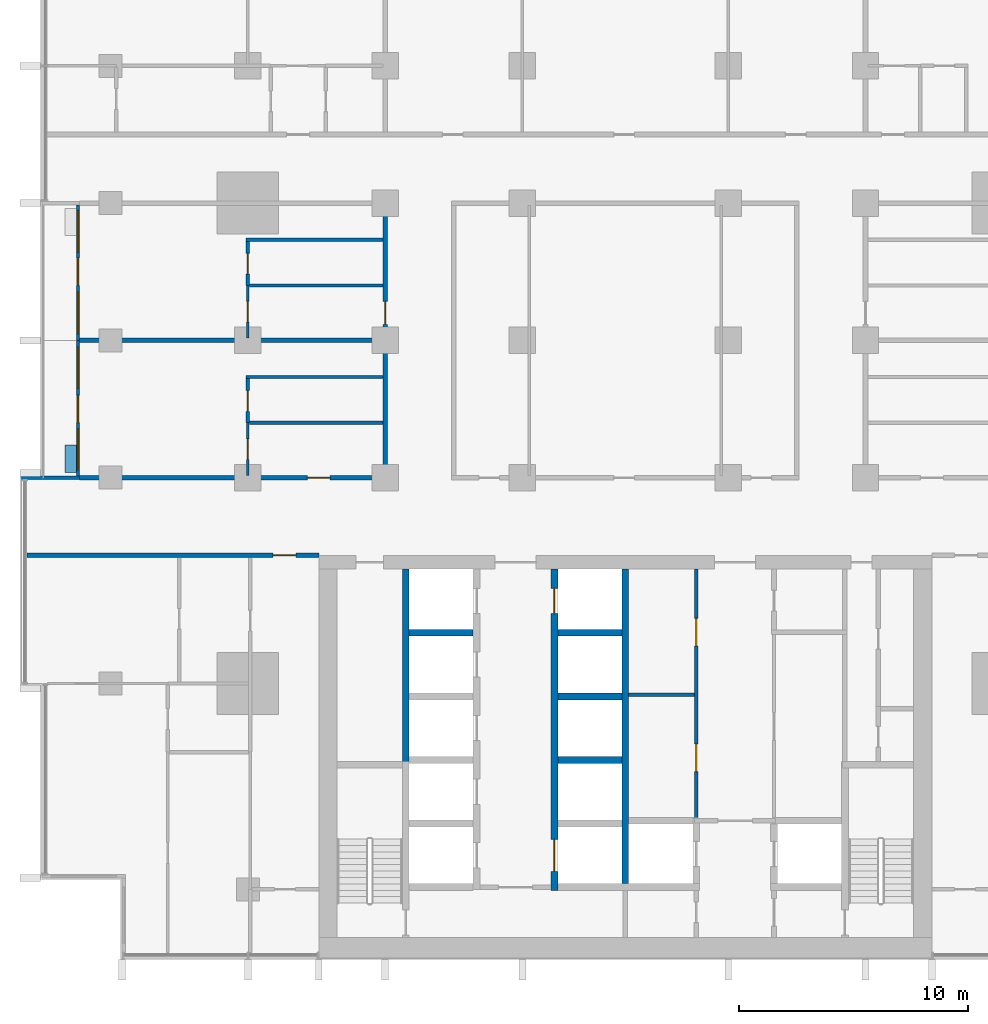
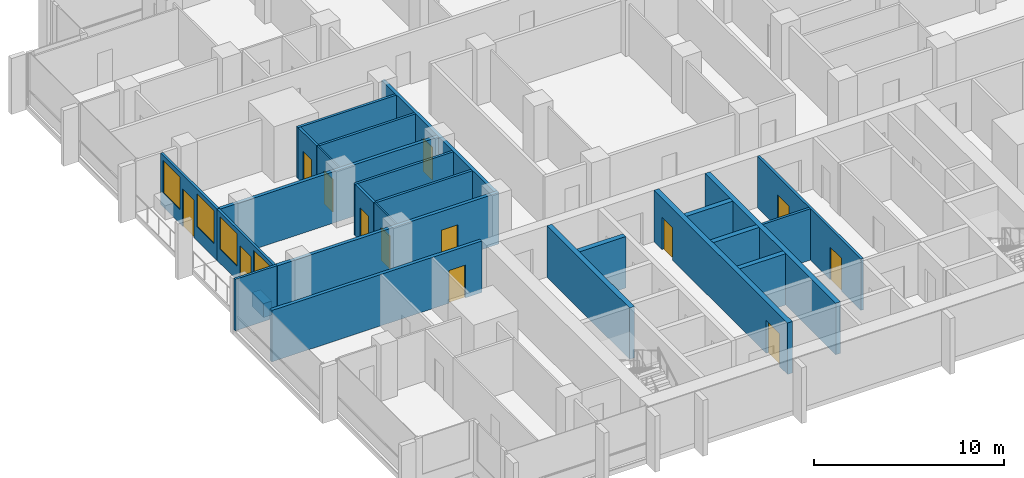
# One storey, part 8 of 17: 25 walls, 13 doors, 4 windows, 17 openings.
"""IFC4 building model written with IfcOpenShell, lengths in metres."""

from ifc_helpers import new_model, si_unit, direction, frame, frame_2d, origin, place, context, subcontext, project, spatial, rectangle, extrude, material, layer, layer_set, type_object, element, fill, save


model = new_model("IFC4")

# Units and contexts
model_context = context("Model", 3, precision=1e-05, world=origin(), true_north=direction((0.0, 1.0)))
body_context = subcontext(model_context, "Body", "Model", "MODEL_VIEW")
ifc_project = project(units=[si_unit("LENGTHUNIT", "METRE"), si_unit("AREAUNIT", "SQUARE_METRE"), si_unit("VOLUMEUNIT", "CUBIC_METRE"), si_unit("PLANEANGLEUNIT", "RADIAN"), si_unit("MASSUNIT", "GRAM", prefix="KILO")], contexts=[model_context])

# Site, building, storey
site_placement = place(None, origin())
site = spatial("IfcSite", under=ifc_project, at=site_placement, CompositionType="ELEMENT")
building_placement = place(site_placement, origin())
building = spatial("IfcBuilding", under=site, at=building_placement, Name="Finial Court Residences", CompositionType="ELEMENT")
storey_placement = place(building_placement, frame((0.0, 0.0, 117.10009765625)))
storey = spatial("IfcBuildingStorey", under=building, at=storey_placement, Name="L29", CompositionType="ELEMENT", Elevation=117.10009765625)

# Walls
ifc_material_1 = material(Name="Gypsum board")
ifc_layer_1 = layer(ifc_material_1, 0.02490234375)
ifc_material_2 = material(Name="Acoustic mineral wool in double frame")
ifc_layer_2 = layer(ifc_material_2, 0.14990234375)
ifc_layer_3 = layer(ifc_material_1, 0.02490234375)
ifc_layer_set_1 = layer_set([ifc_layer_1, ifc_layer_2, ifc_layer_3], Name="Acoustic party wall 200, 1 hour")
wall_type_1 = type_object("IfcWallType", Name="Acoustic party wall 200, 1 hour", PredefinedType="PARTITIONING", material=ifc_layer_set_1)
wall_1_placement = place(storey_placement, frame((-23.85009765625, 1.5, 0.0), z_axis=(0.0, 0.0, 1.0), x_axis=(1.0, 0.0, 0.0)))
element("IfcWall", 1, at=wall_1_placement, inside=storey, type_object=wall_type_1, Name="Partition L29-017", PredefinedType="PARTITIONING", context=body_context, shape_type="SweptSolid", body=[
    extrude(rectangle(XDim=13.25, YDim=0.199951171875, at=frame_2d((6.625, 0.0))), origin(), (0.0, 0.0, 1.0), 3.2998046875),
])
ifc_material_3 = material(Name="Fire-rated gypsum board partition")
ifc_layer_4 = layer(ifc_material_3, 0.14990234375)
ifc_layer_set_2 = layer_set([ifc_layer_4], Name="Core room partition 150 EI 60")
wall_type_2 = type_object("IfcWallType", Name="Core room partition 150 EI 60", PredefinedType="PARTITIONING", material=ifc_layer_set_2)
wall_2_placement = place(storey_placement, frame((0.14990234375, -14.0, 0.0), z_axis=(0.0, 0.0, 1.0), x_axis=(1.0, 0.0, 0.0)))
element("IfcWall", 2, at=wall_2_placement, inside=storey, type_object=wall_type_2, Name="Core partition L29-17", PredefinedType="PARTITIONING", context=body_context, shape_type="SweptSolid", body=[
    extrude(rectangle(XDim=2.875, YDim=0.14990234375, at=frame_2d((1.4375, 0.0))), origin(), (0.0, 0.0, 1.0), 3.2998046875),
])

# Wall, openings, doors
wall_3_placement = place(storey_placement, frame((3.10009765625, -19.39990234375, 0.0), z_axis=(0.0, 0.0, 1.0), x_axis=(0.0, 1.0, 0.0)))
wall_3 = element("IfcWall", 3, at=wall_3_placement, inside=storey, type_object=wall_type_2, Name="Core partition L29-29", PredefinedType="PARTITIONING", context=body_context, shape_type="SweptSolid", body=[
    extrude(rectangle(XDim=10.89990234375, YDim=0.14990234375, at=frame_2d((5.449951171875, 0.0))), origin(), (0.0, 0.0, 1.0), 3.2998046875),
])
opening_1_placement = place(wall_3_placement, frame((2.050048828125, 0.0, 0.0)))
opening_1 = element("IfcOpeningElement", 4, at=opening_1_placement, cuts=wall_3, Name="Opening L29-C12", PredefinedType="OPENING", context=body_context, shape_type="SweptSolid", body=[
    extrude(rectangle(XDim=1.199951171875, YDim=2.10009765625, at=frame_2d((0.60009765625, 1.050048828125))), frame((0.0, 0.0849609375, 0.0), z_axis=(0.0, -1.0, 0.0), x_axis=(1.0, 0.0, 0.0)), (0.0, 0.0, 1.0), 0.169921875),
])
opening_2_placement = place(wall_3_placement, frame((7.550048828125, 0.0, 0.0)))
opening_2 = element("IfcOpeningElement", 5, at=opening_2_placement, cuts=wall_3, Name="Opening L29-C13", PredefinedType="OPENING", context=body_context, shape_type="SweptSolid", body=[
    extrude(rectangle(XDim=1.199951171875, YDim=2.10009765625, at=frame_2d((0.60009765625, 1.050048828125))), frame((0.0, 0.0849609375, 0.0), z_axis=(0.0, -1.0, 0.0), x_axis=(1.0, 0.0, 0.0)), (0.0, 0.0, 1.0), 0.169921875),
])
ifc_material_4 = material(Name="Steel fire door", Category="steel")
door_type_1 = type_object("IfcDoorType", Name="Core room door 1200 x 2100 EI 60", OperationType="NOTDEFINED", PredefinedType="DOOR", material=ifc_material_4)
door_1_placement = place(opening_1_placement, origin())
door_1 = element("IfcDoor", 6, at=door_1_placement, inside=storey, type_object=door_type_1, Name="Core room door L29-C12", OperationType="SINGLE_SWING_LEFT", OverallHeight=2.10009765625, OverallWidth=1.199951171875, PredefinedType="DOOR", context=body_context, shape_type="SweptSolid", body=[
    extrude(rectangle(XDim=1.199951171875, YDim=2.10009765625, at=frame_2d((0.60009765625, 1.050048828125))), frame((0.0, 0.02490234375, 0.0), z_axis=(0.0, -1.0, 0.0), x_axis=(1.0, 0.0, 0.0)), (0.0, 0.0, 1.0), 0.050048828125),
])
fill(opening_1, door_1)
door_2_placement = place(opening_2_placement, origin())
door_2 = element("IfcDoor", 7, at=door_2_placement, inside=storey, type_object=door_type_1, Name="Core room door L29-C13", OperationType="SINGLE_SWING_LEFT", OverallHeight=2.10009765625, OverallWidth=1.199951171875, PredefinedType="DOOR", context=body_context, shape_type="SweptSolid", body=[
    extrude(rectangle(XDim=1.199951171875, YDim=2.10009765625, at=frame_2d((0.60009765625, 1.050048828125))), frame((0.0, 0.02490234375, 0.0), z_axis=(0.0, -1.0, 0.0), x_axis=(1.0, 0.0, 0.0)), (0.0, 0.0, 1.0), 0.050048828125),
])
fill(opening_2, door_2)

# Wall, opening, door
ifc_layer_5 = layer(ifc_material_1, 0.02490234375)
ifc_layer_6 = layer(ifc_material_2, 0.14990234375)
ifc_layer_7 = layer(ifc_material_1, 0.02490234375)
ifc_layer_set_3 = layer_set([ifc_layer_5, ifc_layer_6, ifc_layer_7], Name="Corridor wall 200, 1 hour")
wall_type_3 = type_object("IfcWallType", Name="Corridor wall 200, 1 hour", PredefinedType="PARTITIONING", material=ifc_layer_set_3)
wall_4_placement = place(storey_placement, frame((-26.14990234375, -7.89990234375, 0.0), z_axis=(0.0, 0.0, 1.0), x_axis=(1.0, 0.0, 0.0)))
wall_4 = element("IfcWall", 8, at=wall_4_placement, inside=storey, type_object=wall_type_3, Name="Partition L29-008", PredefinedType="PARTITIONING", context=body_context, shape_type="SweptSolid", body=[
    extrude(rectangle(XDim=12.75, YDim=0.199951171875, at=frame_2d((6.375, 0.0))), origin(), (0.0, 0.0, 1.0), 3.2998046875),
])
opening_3_placement = place(wall_4_placement, frame((10.75, 0.0, 0.0)))
opening_3 = element("IfcOpeningElement", 9, at=opening_3_placement, cuts=wall_4, Name="Opening L29-D005", PredefinedType="OPENING", context=body_context, shape_type="SweptSolid", body=[
    extrude(rectangle(XDim=1.0, YDim=2.10009765625, at=frame_2d((0.5, 1.050048828125))), frame((0.0, 0.10986328125, 0.0), z_axis=(0.0, -1.0, 0.0), x_axis=(1.0, 0.0, 0.0)), (0.0, 0.0, 1.0), 0.219970703125),
])
ifc_material_5 = material(Name="Timber door leaf in hollow metal frame", Category="wood")
door_type_2 = type_object("IfcDoorType", Name="Fire door set 1000 x 2100, 30 minutes", OperationType="SINGLE_SWING_LEFT", PredefinedType="DOOR", material=ifc_material_5)
door_3_placement = place(opening_3_placement, origin())
door_3 = element("IfcDoor", 10, at=door_3_placement, inside=storey, type_object=door_type_2, Name="Door L29-D005", OperationType="SINGLE_SWING_RIGHT", OverallHeight=2.10009765625, OverallWidth=1.0, PredefinedType="DOOR", context=body_context, shape_type="SweptSolid", body=[
    extrude(rectangle(XDim=1.0, YDim=2.10009765625, at=frame_2d((0.5, 1.050048828125))), frame((0.0, 0.02490234375, 0.0), z_axis=(0.0, -1.0, 0.0), x_axis=(1.0, 0.0, 0.0)), (0.0, 0.0, 1.0), 0.050048828125),
])
fill(opening_3, door_3)

wall_5_placement = place(storey_placement, frame((-23.85009765625, -4.5, 0.0), z_axis=(0.0, 0.0, 1.0), x_axis=(1.0, 0.0, 0.0)))
wall_5 = element("IfcWall", 11, at=wall_5_placement, inside=storey, type_object=wall_type_3, Name="Partition L29-010", PredefinedType="PARTITIONING", context=body_context, shape_type="SweptSolid", body=[
    extrude(rectangle(XDim=13.4501953125, YDim=0.199951171875, at=frame_2d((6.72509765625, 0.0))), origin(), (0.0, 0.0, 1.0), 3.2998046875),
])
opening_4_placement = place(wall_5_placement, frame((9.949951171875, 0.0, 0.0)))
opening_4 = element("IfcOpeningElement", 12, at=opening_4_placement, cuts=wall_5, Name="Opening L29-D007", PredefinedType="OPENING", context=body_context, shape_type="SweptSolid", body=[
    extrude(rectangle(XDim=1.0, YDim=2.10009765625, at=frame_2d((0.5, 1.050048828125))), frame((0.0, 0.10986328125, 0.0), z_axis=(0.0, -1.0, 0.0), x_axis=(1.0, 0.0, 0.0)), (0.0, 0.0, 1.0), 0.219970703125),
])
door_4_placement = place(opening_4_placement, origin())
door_4 = element("IfcDoor", 13, at=door_4_placement, inside=storey, type_object=door_type_2, Name="Door L29-D007", OperationType="SINGLE_SWING_LEFT", OverallHeight=2.10009765625, OverallWidth=1.0, PredefinedType="DOOR", context=body_context, shape_type="SweptSolid", body=[
    extrude(rectangle(XDim=1.0, YDim=2.10009765625, at=frame_2d((0.5, 1.050048828125))), frame((0.0, 0.02490234375, 0.0), z_axis=(0.0, -1.0, 0.0), x_axis=(1.0, 0.0, 0.0)), (0.0, 0.0, 1.0), 0.050048828125),
])
fill(opening_4, door_4)

wall_6_placement = place(storey_placement, frame((-10.5, -4.39990234375, 0.0), z_axis=(0.0, 0.0, 1.0), x_axis=(0.0, 1.0, 0.0)))
wall_6 = element("IfcWall", 14, at=wall_6_placement, inside=storey, type_object=wall_type_3, Name="Partition L29-051", PredefinedType="PARTITIONING", context=body_context, shape_type="SweptSolid", body=[
    extrude(rectangle(XDim=11.7998046875, YDim=0.199951171875, at=frame_2d((5.89990234375, 0.0))), origin(), (0.0, 0.0, 1.0), 3.2998046875),
])
opening_5_placement = place(wall_6_placement, frame((6.60009765625, 0.0, 0.0)))
opening_5 = element("IfcOpeningElement", 15, at=opening_5_placement, cuts=wall_6, Name="Opening L29-D036", PredefinedType="OPENING", context=body_context, shape_type="SweptSolid", body=[
    extrude(rectangle(XDim=1.0, YDim=2.10009765625, at=frame_2d((0.5, 1.050048828125))), frame((0.0, 0.10986328125, 0.0), z_axis=(0.0, -1.0, 0.0), x_axis=(1.0, 0.0, 0.0)), (0.0, 0.0, 1.0), 0.219970703125),
])
door_5_placement = place(opening_5_placement, origin())
door_5 = element("IfcDoor", 16, at=door_5_placement, inside=storey, type_object=door_type_2, Name="Door L29-D036", OperationType="SINGLE_SWING_LEFT", OverallHeight=2.10009765625, OverallWidth=1.0, PredefinedType="DOOR", context=body_context, shape_type="SweptSolid", body=[
    extrude(rectangle(XDim=1.0, YDim=2.10009765625, at=frame_2d((0.5, 1.050048828125))), frame((0.0, 0.02490234375, 0.0), z_axis=(0.0, -1.0, 0.0), x_axis=(1.0, 0.0, 0.0)), (0.0, 0.0, 1.0), 0.050048828125),
])
fill(opening_5, door_5)

ifc_layer_8 = layer(ifc_material_1, 0.012451171875)
ifc_material_6 = material(Name="Mineral wool in light-gauge frame")
ifc_layer_9 = layer(ifc_material_6, 0.074951171875)
ifc_layer_10 = layer(ifc_material_1, 0.012451171875)
ifc_layer_set_4 = layer_set([ifc_layer_8, ifc_layer_9, ifc_layer_10], Name="Gypsum board partition 100")
wall_type_4 = type_object("IfcWallType", Name="Gypsum board partition 100", PredefinedType="PARTITIONING", material=ifc_layer_set_4)
wall_7_placement = place(storey_placement, frame((-16.5, -4.39990234375, 0.0), z_axis=(0.0, 0.0, 1.0), x_axis=(0.0, 1.0, 0.0)))
wall_7 = element("IfcWall", 17, at=wall_7_placement, inside=storey, type_object=wall_type_4, Name="Partition L29-041", PredefinedType="PARTITIONING", context=body_context, shape_type="SweptSolid", body=[
    extrude(rectangle(XDim=2.2998046875, YDim=0.10009765625, at=frame_2d((1.14990234375, 0.0))), origin(), (0.0, 0.0, 1.0), 3.2998046875),
])
opening_6_placement = place(wall_7_placement, frame((0.699951171875, 0.0, 0.0)))
opening_6 = element("IfcOpeningElement", 18, at=opening_6_placement, cuts=wall_7, Name="Opening L29-D028", PredefinedType="OPENING", context=body_context, shape_type="SweptSolid", body=[
    extrude(rectangle(XDim=0.89990234375, YDim=2.10009765625, at=frame_2d((0.449951171875, 1.050048828125))), frame((0.0, 0.06005859375, 0.0), z_axis=(0.0, -1.0, 0.0), x_axis=(1.0, 0.0, 0.0)), (0.0, 0.0, 1.0), 0.1201171875),
])
ifc_material_7 = material(Name="Timber door leaf in timber frame", Category="wood")
door_type_3 = type_object("IfcDoorType", Name="Door set 900 x 2100", OperationType="SINGLE_SWING_LEFT", PredefinedType="DOOR", material=ifc_material_7)
door_6_placement = place(opening_6_placement, origin())
door_6 = element("IfcDoor", 19, at=door_6_placement, inside=storey, type_object=door_type_3, Name="Door L29-D028", OperationType="SINGLE_SWING_LEFT", OverallHeight=2.10009765625, OverallWidth=0.89990234375, PredefinedType="DOOR", context=body_context, shape_type="SweptSolid", body=[
    extrude(rectangle(XDim=0.89990234375, YDim=2.10009765625, at=frame_2d((0.449951171875, 1.050048828125))), frame((0.0, 0.02490234375, 0.0), z_axis=(0.0, -1.0, 0.0), x_axis=(1.0, 0.0, 0.0)), (0.0, 0.0, 1.0), 0.050048828125),
])
fill(opening_6, door_6)

wall_8_placement = place(storey_placement, frame((-16.5, 1.60009765625, 0.0), z_axis=(0.0, 0.0, 1.0), x_axis=(0.0, 1.0, 0.0)))
wall_8 = element("IfcWall", 20, at=wall_8_placement, inside=storey, type_object=wall_type_4, Name="Partition L29-042", PredefinedType="PARTITIONING", context=body_context, shape_type="SweptSolid", body=[
    extrude(rectangle(XDim=2.2998046875, YDim=0.10009765625, at=frame_2d((1.14990234375, 0.0))), origin(), (0.0, 0.0, 1.0), 3.2998046875),
])
opening_7_placement = place(wall_8_placement, frame((0.699951171875, 0.0, 0.0)))
opening_7 = element("IfcOpeningElement", 21, at=opening_7_placement, cuts=wall_8, Name="Opening L29-D029", PredefinedType="OPENING", context=body_context, shape_type="SweptSolid", body=[
    extrude(rectangle(XDim=0.89990234375, YDim=2.10009765625, at=frame_2d((0.449951171875, 1.050048828125))), frame((0.0, 0.06005859375, 0.0), z_axis=(0.0, -1.0, 0.0), x_axis=(1.0, 0.0, 0.0)), (0.0, 0.0, 1.0), 0.1201171875),
])
door_7_placement = place(opening_7_placement, origin())
door_7 = element("IfcDoor", 22, at=door_7_placement, inside=storey, type_object=door_type_3, Name="Door L29-D029", OperationType="SINGLE_SWING_RIGHT", OverallHeight=2.10009765625, OverallWidth=0.89990234375, PredefinedType="DOOR", context=body_context, shape_type="SweptSolid", body=[
    extrude(rectangle(XDim=0.89990234375, YDim=2.10009765625, at=frame_2d((0.449951171875, 1.050048828125))), frame((0.0, 0.02490234375, 0.0), z_axis=(0.0, -1.0, 0.0), x_axis=(1.0, 0.0, 0.0)), (0.0, 0.0, 1.0), 0.050048828125),
])
fill(opening_7, door_7)

# Walls
ifc_material_8 = material(Name="Moisture-resistant gypsum board")
ifc_layer_11 = layer(ifc_material_8, 0.012451171875)
ifc_layer_12 = layer(ifc_material_6, 0.125)
ifc_layer_13 = layer(ifc_material_8, 0.012451171875)
ifc_layer_set_5 = layer_set([ifc_layer_11, ifc_layer_12, ifc_layer_13], Name="Gypsum board wet-area partition 150")
wall_type_5 = type_object("IfcWallType", Name="Gypsum board wet-area partition 150", PredefinedType="PARTITIONING", material=ifc_layer_set_5)
wall_9_placement = place(storey_placement, frame((-16.425048828125, -2.10009765625, 0.0), z_axis=(0.0, 0.0, 1.0), x_axis=(1.0, 0.0, 0.0)))
element("IfcWall", 23, at=wall_9_placement, inside=storey, type_object=wall_type_5, Name="Partition L29-013", PredefinedType="PARTITIONING", context=body_context, shape_type="SweptSolid", body=[
    extrude(rectangle(XDim=5.824951171875, YDim=0.14990234375, at=frame_2d((2.91259765625, 0.0))), origin(), (0.0, 0.0, 1.0), 3.2998046875),
])
wall_10_placement = place(storey_placement, frame((-16.574951171875, -0.10009765625, 0.0), z_axis=(0.0, 0.0, 1.0), x_axis=(1.0, 0.0, 0.0)))
element("IfcWall", 24, at=wall_10_placement, inside=storey, type_object=wall_type_5, Name="Partition L29-015", PredefinedType="PARTITIONING", context=body_context, shape_type="SweptSolid", body=[
    extrude(rectangle(XDim=5.974853515625, YDim=0.14990234375, at=frame_2d((2.9873046875, 0.0))), origin(), (0.0, 0.0, 1.0), 3.2998046875),
])
wall_11_placement = place(storey_placement, frame((-16.425048828125, 3.89990234375, 0.0), z_axis=(0.0, 0.0, 1.0), x_axis=(1.0, 0.0, 0.0)))
element("IfcWall", 25, at=wall_11_placement, inside=storey, type_object=wall_type_5, Name="Partition L29-019", PredefinedType="PARTITIONING", context=body_context, shape_type="SweptSolid", body=[
    extrude(rectangle(XDim=5.824951171875, YDim=0.14990234375, at=frame_2d((2.91259765625, 0.0))), origin(), (0.0, 0.0, 1.0), 3.2998046875),
])
wall_12_placement = place(storey_placement, frame((-16.574951171875, 5.89990234375, 0.0), z_axis=(0.0, 0.0, 1.0), x_axis=(1.0, 0.0, 0.0)))
element("IfcWall", 26, at=wall_12_placement, inside=storey, type_object=wall_type_5, Name="Partition L29-021", PredefinedType="PARTITIONING", context=body_context, shape_type="SweptSolid", body=[
    extrude(rectangle(XDim=5.974853515625, YDim=0.14990234375, at=frame_2d((2.9873046875, 0.0))), origin(), (0.0, 0.0, 1.0), 3.2998046875),
])

# Wall, opening, door
wall_13_placement = place(storey_placement, frame((-16.5, -2.10009765625, 0.0), z_axis=(0.0, 0.0, 1.0), x_axis=(0.0, 1.0, 0.0)))
wall_13 = element("IfcWall", 27, at=wall_13_placement, inside=storey, type_object=wall_type_5, Name="Partition L29-044", PredefinedType="PARTITIONING", context=body_context, shape_type="SweptSolid", body=[
    extrude(rectangle(XDim=1.925048828125, YDim=0.14990234375, at=frame_2d((0.96240234375, 0.0))), origin(), (0.0, 0.0, 1.0), 3.2998046875),
])
opening_8_placement = place(wall_13_placement, frame((0.5, 0.0, 0.0)))
opening_8 = element("IfcOpeningElement", 28, at=opening_8_placement, cuts=wall_13, Name="Opening L29-D031", PredefinedType="OPENING", context=body_context, shape_type="SweptSolid", body=[
    extrude(rectangle(XDim=0.89990234375, YDim=2.10009765625, at=frame_2d((0.449951171875, 1.050048828125))), frame((0.0, 0.0849609375, 0.0), z_axis=(0.0, -1.0, 0.0), x_axis=(1.0, 0.0, 0.0)), (0.0, 0.0, 1.0), 0.169921875),
])
door_8_placement = place(opening_8_placement, origin())
door_8 = element("IfcDoor", 29, at=door_8_placement, inside=storey, type_object=door_type_3, Name="Door L29-D031", OperationType="SINGLE_SWING_RIGHT", OverallHeight=2.10009765625, OverallWidth=0.89990234375, PredefinedType="DOOR", context=body_context, shape_type="SweptSolid", body=[
    extrude(rectangle(XDim=0.89990234375, YDim=2.10009765625, at=frame_2d((0.449951171875, 1.050048828125))), frame((0.0, 0.02490234375, 0.0), z_axis=(0.0, -1.0, 0.0), x_axis=(1.0, 0.0, 0.0)), (0.0, 0.0, 1.0), 0.050048828125),
])
fill(opening_8, door_8)

wall_14_placement = place(storey_placement, frame((-16.5, 3.89990234375, 0.0), z_axis=(0.0, 0.0, 1.0), x_axis=(0.0, 1.0, 0.0)))
wall_14 = element("IfcWall", 30, at=wall_14_placement, inside=storey, type_object=wall_type_5, Name="Partition L29-045", PredefinedType="PARTITIONING", context=body_context, shape_type="SweptSolid", body=[
    extrude(rectangle(XDim=1.925048828125, YDim=0.14990234375, at=frame_2d((0.96240234375, 0.0))), origin(), (0.0, 0.0, 1.0), 3.2998046875),
])
opening_9_placement = place(wall_14_placement, frame((0.5, 0.0, 0.0)))
opening_9 = element("IfcOpeningElement", 31, at=opening_9_placement, cuts=wall_14, Name="Opening L29-D032", PredefinedType="OPENING", context=body_context, shape_type="SweptSolid", body=[
    extrude(rectangle(XDim=0.89990234375, YDim=2.10009765625, at=frame_2d((0.449951171875, 1.050048828125))), frame((0.0, 0.0849609375, 0.0), z_axis=(0.0, -1.0, 0.0), x_axis=(1.0, 0.0, 0.0)), (0.0, 0.0, 1.0), 0.169921875),
])
door_9_placement = place(opening_9_placement, origin())
door_9 = element("IfcDoor", 32, at=door_9_placement, inside=storey, type_object=door_type_3, Name="Door L29-D032", OperationType="SINGLE_SWING_RIGHT", OverallHeight=2.10009765625, OverallWidth=0.89990234375, PredefinedType="DOOR", context=body_context, shape_type="SweptSolid", body=[
    extrude(rectangle(XDim=0.89990234375, YDim=2.10009765625, at=frame_2d((0.449951171875, 1.050048828125))), frame((0.0, 0.02490234375, 0.0), z_axis=(0.0, -1.0, 0.0), x_axis=(1.0, 0.0, 0.0)), (0.0, 0.0, 1.0), 0.050048828125),
])
fill(opening_9, door_9)

# Walls
ifc_material_9 = material(Name="Concrete C70/85", Category="concrete")
ifc_layer_14 = layer(ifc_material_9, 0.300048828125)
ifc_layer_set_6 = layer_set([ifc_layer_14], Name="Lift shaft and stair wall 300 Concrete C70/85")
wall_type_6 = type_object("IfcWallType", Name="Lift shaft and stair wall 300 Concrete C70/85", PredefinedType="SHEAR", material=ifc_layer_set_6)
for number, where, z_axis, x_axis, name in (
    (33, (-2.949951171875, -16.840087890625, 0.0), (0.0, 0.0, 1.0), (1.0, 0.0, 0.0), "Core wall L29-13"),
    (34, (-2.949951171875, -14.06005859375, 0.0), (0.0, 0.0, 1.0), (1.0, 0.0, 0.0), "Core wall L29-16"),
    (35, (-9.449951171875, -11.280029296875, 0.0), (0.0, 0.0, 1.0), (1.0, 0.0, 0.0), "Core wall L29-18"),
    (36, (-2.949951171875, -11.280029296875, 0.0), (0.0, 0.0, 1.0), (1.0, 0.0, 0.0), "Core wall L29-19"),
):
    element("IfcWall", number, at=place(storey_placement, frame(where, z_axis=z_axis, x_axis=x_axis)), inside=storey, type_object=wall_type_6, Name=name, PredefinedType="SHEAR", context=body_context, shape_type="SweptSolid", body=[
        extrude(rectangle(XDim=2.800048828125, YDim=0.300048828125, at=frame_2d((1.39990234375, 0.0))), origin(), (0.0, 0.0, 1.0), 3.2998046875),
    ])
wall_15_placement = place(storey_placement, frame((-9.60009765625, -17.199951171875, 0.0), z_axis=(0.0, 0.0, 1.0), x_axis=(0.0, 1.0, 0.0)))
element("IfcWall", 37, at=wall_15_placement, inside=storey, type_object=wall_type_6, Name="Core wall L29-22", PredefinedType="SHEAR", context=body_context, shape_type="SweptSolid", body=[
    extrude(rectangle(XDim=8.699951171875, YDim=0.300048828125, at=frame_2d((4.35009765625, 0.0))), origin(), (0.0, 0.0, 1.0), 3.2998046875),
])

# Wall, openings, doors
wall_16_placement = place(storey_placement, frame((-3.10009765625, -22.550048828125, 0.0), z_axis=(0.0, 0.0, 1.0), x_axis=(0.0, 1.0, 0.0)))
wall_16 = element("IfcWall", 38, at=wall_16_placement, inside=storey, type_object=wall_type_6, Name="Core wall L29-24", PredefinedType="SHEAR", context=body_context, shape_type="SweptSolid", body=[
    extrude(rectangle(XDim=14.050048828125, YDim=0.300048828125, at=frame_2d((7.02490234375, 0.0))), origin(), (0.0, 0.0, 1.0), 3.2998046875),
])
opening_10_placement = place(wall_16_placement, frame((12.110107421875, 0.0, 0.0)))
opening_10 = element("IfcOpeningElement", 39, at=opening_10_placement, cuts=wall_16, Name="Opening L29-LD08", PredefinedType="OPENING", context=body_context, shape_type="SweptSolid", body=[
    extrude(rectangle(XDim=1.10009765625, YDim=2.10009765625, at=frame_2d((0.550048828125, 1.050048828125))), frame((0.0, 0.159912109375, 0.0), z_axis=(0.0, -1.0, 0.0), x_axis=(1.0, 0.0, 0.0)), (0.0, 0.0, 1.0), 0.320068359375),
])
opening_11_placement = place(wall_16_placement, frame((0.840087890625, 0.0, 0.0)))
opening_11 = element("IfcOpeningElement", 40, at=opening_11_placement, cuts=wall_16, Name="Opening L29-LD09", PredefinedType="OPENING", context=body_context, shape_type="SweptSolid", body=[
    extrude(rectangle(XDim=1.39990234375, YDim=2.10009765625, at=frame_2d((0.699951171875, 1.050048828125))), frame((0.0, 0.159912109375, 0.0), z_axis=(0.0, -1.0, 0.0), x_axis=(1.0, 0.0, 0.0)), (0.0, 0.0, 1.0), 0.320068359375),
])
ifc_material_10 = material(Name="Stainless steel lift door", Category="steel")
door_type_4 = type_object("IfcDoorType", Name="Lift landing door 1100 x 2100 EI 90", OperationType="DOUBLE_DOOR_SLIDING", PredefinedType="DOOR", material=ifc_material_10)
door_10_placement = place(opening_10_placement, origin())
door_10 = element("IfcDoor", 41, at=door_10_placement, inside=storey, type_object=door_type_4, Name="Lift landing door LR6 L29", OperationType="DOUBLE_DOOR_SLIDING", OverallHeight=2.10009765625, OverallWidth=1.10009765625, PredefinedType="DOOR", context=body_context, shape_type="SweptSolid", body=[
    extrude(rectangle(XDim=1.10009765625, YDim=2.10009765625, at=frame_2d((0.550048828125, 1.050048828125))), frame((0.0, 0.02490234375, 0.0), z_axis=(0.0, -1.0, 0.0), x_axis=(1.0, 0.0, 0.0)), (0.0, 0.0, 1.0), 0.050048828125),
])
fill(opening_10, door_10)
door_type_5 = type_object("IfcDoorType", Name="Lift landing door 1400 x 2100 EI 90", OperationType="DOUBLE_DOOR_SLIDING", PredefinedType="DOOR", material=ifc_material_10)
door_11_placement = place(opening_11_placement, origin())
door_11 = element("IfcDoor", 42, at=door_11_placement, inside=storey, type_object=door_type_5, Name="Lift landing door SV1 L29", OperationType="DOUBLE_DOOR_SLIDING", OverallHeight=2.10009765625, OverallWidth=1.39990234375, PredefinedType="DOOR", context=body_context, shape_type="SweptSolid", body=[
    extrude(rectangle(XDim=1.39990234375, YDim=2.10009765625, at=frame_2d((0.699951171875, 1.050048828125))), frame((0.0, 0.02490234375, 0.0), z_axis=(0.0, -1.0, 0.0), x_axis=(1.0, 0.0, 0.0)), (0.0, 0.0, 1.0), 0.050048828125),
])
fill(opening_11, door_11)

# Walls
wall_17_placement = place(storey_placement, frame((0.0, -22.25, 0.0), z_axis=(0.0, 0.0, 1.0), x_axis=(0.0, 1.0, 0.0)))
element("IfcWall", 43, at=wall_17_placement, inside=storey, type_object=wall_type_6, Name="Core wall L29-26", PredefinedType="SHEAR", context=body_context, shape_type="SweptSolid", body=[
    extrude(rectangle(XDim=13.75, YDim=0.300048828125, at=frame_2d((6.875, 0.0))), origin(), (0.0, 0.0, 1.0), 3.2998046875),
])
ifc_material_11 = material(Name="Natural limestone", Category="masonry")
ifc_layer_15 = layer(ifc_material_11, 0.14990234375)
ifc_layer_set_7 = layer_set([ifc_layer_15], Name="Limestone clad wall 150")
wall_type_7 = type_object("IfcWallType", Name="Limestone clad wall 150", PredefinedType="SOLIDWALL", material=ifc_layer_set_7)
wall_18_placement = place(storey_placement, frame((-23.85009765625, -4.5, 0.0), z_axis=(0.0, 0.0, 1.0), x_axis=(-1.0, 0.0, 0.0)))
element("IfcWall", 44, at=wall_18_placement, inside=storey, type_object=wall_type_7, Name="E-L29-BALW3-P1", PredefinedType="SOLIDWALL", context=body_context, shape_type="SweptSolid", body=[
    extrude(rectangle(XDim=2.5498046875, YDim=0.14990234375, at=frame_2d((1.27490234375, 0.0))), origin(), (0.0, 0.0, 1.0), 3.2998046875),
])

# Wall, openings, door, windows
wall_19_placement = place(storey_placement, frame((-23.925048828125, -4.425048828125, 0.0), z_axis=(0.0, 0.0, 1.0), x_axis=(0.0, 1.0, 0.0)))
wall_19 = element("IfcWall", 45, at=wall_19_placement, inside=storey, type_object=wall_type_7, Name="E-L29-L29-BALW3-W", PredefinedType="SOLIDWALL", context=body_context, shape_type="SweptSolid", body=[
    extrude(rectangle(XDim=5.925048828125, YDim=0.14990234375, at=frame_2d((2.96240234375, 0.0))), origin(), (0.0, 0.0, 1.0), 3.2998046875),
])
opening_12_placement = place(wall_19_placement, frame((2.324951171875, 0.0, 0.0)))
opening_12 = element("IfcOpeningElement", 46, at=opening_12_placement, cuts=wall_19, Name="Opening DE29-03", PredefinedType="OPENING", context=body_context, shape_type="SweptSolid", body=[
    extrude(rectangle(XDim=1.199951171875, YDim=2.39990234375, at=frame_2d((0.60009765625, 1.199951171875))), frame((0.0, 0.0849609375, 0.0), z_axis=(0.0, -1.0, 0.0), x_axis=(1.0, 0.0, 0.0)), (0.0, 0.0, 1.0), 0.169921875),
])
opening_13_placement = place(wall_19_placement, frame((0.262451171875, 0.0, 0.89990234375)))
opening_13 = element("IfcOpeningElement", 47, at=opening_13_placement, cuts=wall_19, Name="Opening WE29-13", PredefinedType="OPENING", context=body_context, shape_type="SweptSolid", body=[
    extrude(rectangle(XDim=1.800048828125, YDim=2.10009765625, at=frame_2d((0.89990234375, 1.050048828125))), frame((0.0, 0.0849609375, 0.0), z_axis=(0.0, -1.0, 0.0), x_axis=(1.0, 0.0, 0.0)), (0.0, 0.0, 1.0), 0.169921875),
])
opening_14_placement = place(wall_19_placement, frame((3.824951171875, 0.0, 0.89990234375)))
opening_14 = element("IfcOpeningElement", 48, at=opening_14_placement, cuts=wall_19, Name="Opening WE29-14", PredefinedType="OPENING", context=body_context, shape_type="SweptSolid", body=[
    extrude(rectangle(XDim=1.800048828125, YDim=2.10009765625, at=frame_2d((0.89990234375, 1.050048828125))), frame((0.0, 0.0849609375, 0.0), z_axis=(0.0, -1.0, 0.0), x_axis=(1.0, 0.0, 0.0)), (0.0, 0.0, 1.0), 0.169921875),
])
ifc_material_12 = material(Name="Bronze anodised aluminium", Category="aluminium")
door_type_6 = type_object("IfcDoorType", Name="Balcony door 1200 x 2400", OperationType="SINGLE_SWING_LEFT", PredefinedType="DOOR", material=ifc_material_12)
door_12_placement = place(opening_12_placement, origin())
door_12 = element("IfcDoor", 49, at=door_12_placement, inside=storey, type_object=door_type_6, Name="E-L29-L29-BALW3-W-D", OperationType="SINGLE_SWING_LEFT", OverallHeight=2.39990234375, OverallWidth=1.199951171875, PredefinedType="DOOR", context=body_context, shape_type="SweptSolid", body=[
    extrude(rectangle(XDim=1.199951171875, YDim=2.39990234375, at=frame_2d((0.60009765625, 1.199951171875))), frame((0.0, 0.02490234375, 0.0), z_axis=(0.0, -1.0, 0.0), x_axis=(1.0, 0.0, 0.0)), (0.0, 0.0, 1.0), 0.050048828125),
])
fill(opening_12, door_12)
ifc_material_13 = material(Name="Clear low-e glass", Category="glass")
window_type = type_object("IfcWindowType", Name="Balcony window 1800 x 2100", PartitioningType="SINGLE_PANEL", PredefinedType="WINDOW", material=ifc_material_13)
window_1_placement = place(opening_13_placement, origin())
window_1 = element("IfcWindow", 50, at=window_1_placement, inside=storey, type_object=window_type, Name="E-L29-L29-BALW3-W-W1", OverallHeight=2.10009765625, OverallWidth=1.800048828125, PartitioningType="SINGLE_PANEL", PredefinedType="WINDOW", context=body_context, shape_type="SweptSolid", body=[
    extrude(rectangle(XDim=1.800048828125, YDim=2.10009765625, at=frame_2d((0.89990234375, 1.050048828125))), frame((0.0, 0.030029296875, 0.0), z_axis=(0.0, -1.0, 0.0), x_axis=(1.0, 0.0, 0.0)), (0.0, 0.0, 1.0), 0.06005859375),
])
fill(opening_13, window_1)
window_2_placement = place(opening_14_placement, origin())
window_2 = element("IfcWindow", 51, at=window_2_placement, inside=storey, type_object=window_type, Name="E-L29-L29-BALW3-W-W2", OverallHeight=2.10009765625, OverallWidth=1.800048828125, PartitioningType="SINGLE_PANEL", PredefinedType="WINDOW", context=body_context, shape_type="SweptSolid", body=[
    extrude(rectangle(XDim=1.800048828125, YDim=2.10009765625, at=frame_2d((0.89990234375, 1.050048828125))), frame((0.0, 0.030029296875, 0.0), z_axis=(0.0, -1.0, 0.0), x_axis=(1.0, 0.0, 0.0)), (0.0, 0.0, 1.0), 0.06005859375),
])
fill(opening_14, window_2)

wall_20_placement = place(storey_placement, frame((-23.925048828125, 1.5, 0.0), z_axis=(0.0, 0.0, 1.0), x_axis=(0.0, 1.0, 0.0)))
wall_20 = element("IfcWall", 52, at=wall_20_placement, inside=storey, type_object=wall_type_7, Name="E-L29-L29-BALW4-W", PredefinedType="SOLIDWALL", context=body_context, shape_type="SweptSolid", body=[
    extrude(rectangle(XDim=5.925048828125, YDim=0.14990234375, at=frame_2d((2.96240234375, 0.0))), origin(), (0.0, 0.0, 1.0), 3.2998046875),
])
opening_15_placement = place(wall_20_placement, frame((2.39990234375, 0.0, 0.0)))
opening_15 = element("IfcOpeningElement", 53, at=opening_15_placement, cuts=wall_20, Name="Opening DE29-04", PredefinedType="OPENING", context=body_context, shape_type="SweptSolid", body=[
    extrude(rectangle(XDim=1.199951171875, YDim=2.39990234375, at=frame_2d((0.60009765625, 1.199951171875))), frame((0.0, 0.0849609375, 0.0), z_axis=(0.0, -1.0, 0.0), x_axis=(1.0, 0.0, 0.0)), (0.0, 0.0, 1.0), 0.169921875),
])
opening_16_placement = place(wall_20_placement, frame((0.300048828125, 0.0, 0.89990234375)))
opening_16 = element("IfcOpeningElement", 54, at=opening_16_placement, cuts=wall_20, Name="Opening WE29-15", PredefinedType="OPENING", context=body_context, shape_type="SweptSolid", body=[
    extrude(rectangle(XDim=1.800048828125, YDim=2.10009765625, at=frame_2d((0.89990234375, 1.050048828125))), frame((0.0, 0.0849609375, 0.0), z_axis=(0.0, -1.0, 0.0), x_axis=(1.0, 0.0, 0.0)), (0.0, 0.0, 1.0), 0.169921875),
])
opening_17_placement = place(wall_20_placement, frame((3.862548828125, 0.0, 0.89990234375)))
opening_17 = element("IfcOpeningElement", 55, at=opening_17_placement, cuts=wall_20, Name="Opening WE29-16", PredefinedType="OPENING", context=body_context, shape_type="SweptSolid", body=[
    extrude(rectangle(XDim=1.800048828125, YDim=2.10009765625, at=frame_2d((0.89990234375, 1.050048828125))), frame((0.0, 0.0849609375, 0.0), z_axis=(0.0, -1.0, 0.0), x_axis=(1.0, 0.0, 0.0)), (0.0, 0.0, 1.0), 0.169921875),
])
door_13_placement = place(opening_15_placement, origin())
door_13 = element("IfcDoor", 56, at=door_13_placement, inside=storey, type_object=door_type_6, Name="E-L29-L29-BALW4-W-D", OperationType="SINGLE_SWING_RIGHT", OverallHeight=2.39990234375, OverallWidth=1.199951171875, PredefinedType="DOOR", context=body_context, shape_type="SweptSolid", body=[
    extrude(rectangle(XDim=1.199951171875, YDim=2.39990234375, at=frame_2d((0.60009765625, 1.199951171875))), frame((0.0, 0.02490234375, 0.0), z_axis=(0.0, -1.0, 0.0), x_axis=(1.0, 0.0, 0.0)), (0.0, 0.0, 1.0), 0.050048828125),
])
fill(opening_15, door_13)
window_3_placement = place(opening_16_placement, origin())
window_3 = element("IfcWindow", 57, at=window_3_placement, inside=storey, type_object=window_type, Name="E-L29-L29-BALW4-W-W1", OverallHeight=2.10009765625, OverallWidth=1.800048828125, PartitioningType="SINGLE_PANEL", PredefinedType="WINDOW", context=body_context, shape_type="SweptSolid", body=[
    extrude(rectangle(XDim=1.800048828125, YDim=2.10009765625, at=frame_2d((0.89990234375, 1.050048828125))), frame((0.0, 0.030029296875, 0.0), z_axis=(0.0, -1.0, 0.0), x_axis=(1.0, 0.0, 0.0)), (0.0, 0.0, 1.0), 0.06005859375),
])
fill(opening_16, window_3)
window_4_placement = place(opening_17_placement, origin())
window_4 = element("IfcWindow", 58, at=window_4_placement, inside=storey, type_object=window_type, Name="E-L29-L29-BALW4-W-W2", OverallHeight=2.10009765625, OverallWidth=1.800048828125, PartitioningType="SINGLE_PANEL", PredefinedType="WINDOW", context=body_context, shape_type="SweptSolid", body=[
    extrude(rectangle(XDim=1.800048828125, YDim=2.10009765625, at=frame_2d((0.89990234375, 1.050048828125))), frame((0.0, 0.030029296875, 0.0), z_axis=(0.0, -1.0, 0.0), x_axis=(1.0, 0.0, 0.0)), (0.0, 0.0, 1.0), 0.06005859375),
])
fill(opening_17, window_4)

# Wall
ifc_material_14 = material(Name="Concrete C40/50", Category="concrete")
ifc_layer_16 = layer(ifc_material_14, 0.10009765625)
ifc_material_15 = material(Name="Planting soil", Category="soil")
ifc_layer_17 = layer(ifc_material_15, 0.300048828125)
ifc_layer_18 = layer(ifc_material_14, 0.10009765625)
ifc_layer_set_8 = layer_set([ifc_layer_16, ifc_layer_17, ifc_layer_18], Name="Planter wall, balcony")
wall_type_8 = type_object("IfcWallType", Name="Planter wall, balcony", PredefinedType="USERDEFINED", material=ifc_layer_set_8)
wall_21_placement = place(storey_placement, frame((-24.25, -4.27490234375, 0.0), z_axis=(0.0, 0.0, 1.0), x_axis=(0.0, 1.0, 0.0)))
element("IfcWall", 59, at=wall_21_placement, inside=storey, type_object=wall_type_8, Name="E-L29-BALW3-PL", ObjectType="PLANTER", PredefinedType="USERDEFINED", context=body_context, shape_type="SweptSolid", body=[
    extrude(rectangle(XDim=1.199951171875, YDim=0.5, at=frame_2d((0.60009765625, 0.0))), origin(), (0.0, 0.0, 1.0), 0.89990234375),
])

save(model, "model.ifc")
